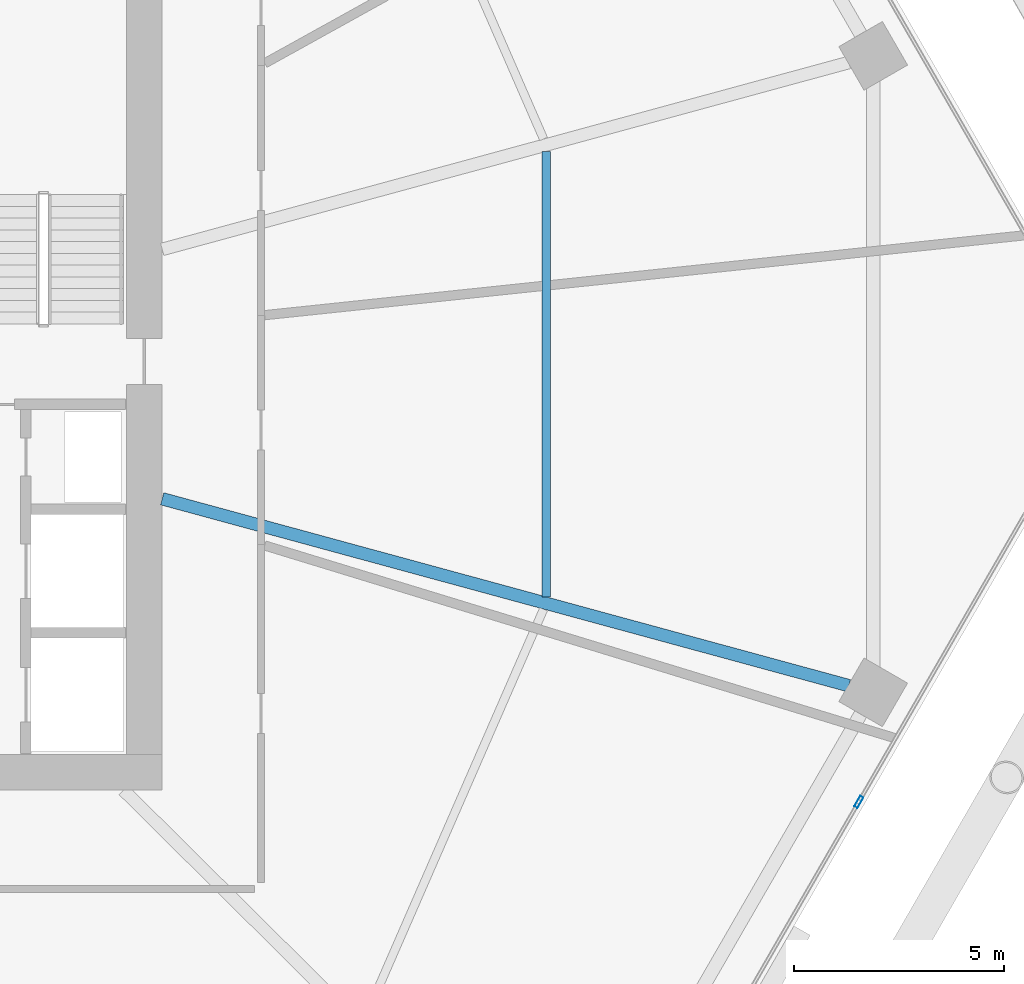
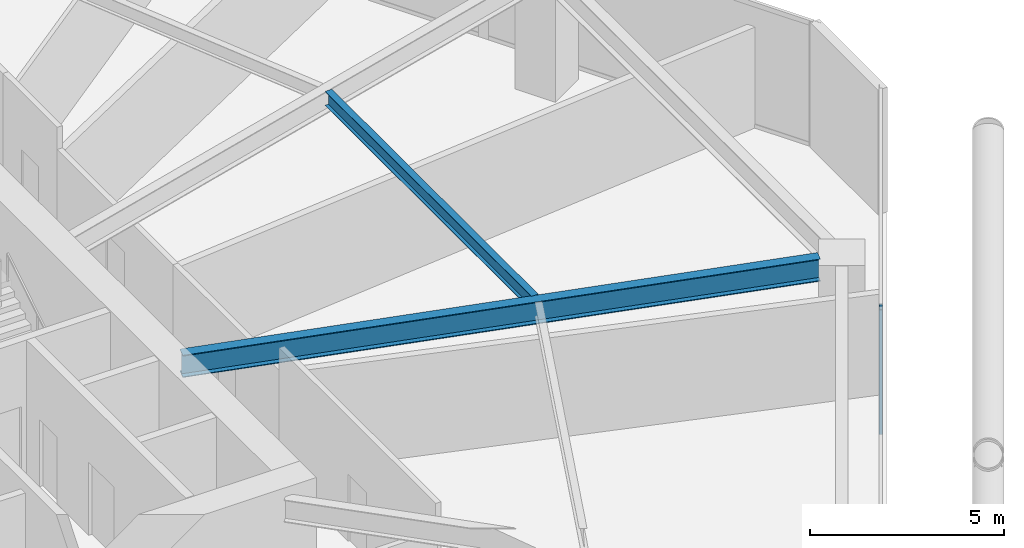
# One storey, part 11 of 30: 2 beams, 1 member, 1 element without a shape of its own.
"""IFC4 building model written with IfcOpenShell, lengths in metres."""

from ifc_helpers import new_model, si_unit, direction, frame, origin, origin_2d, place, context, subcontext, project, spatial, hollow_rectangle, i_section, extrude, material, material_profile, profile_set, type_object, element, aggregate, save


model = new_model("IFC4")

# Units and contexts
model_context = context("Model", 3, precision=1e-05, world=origin(), true_north=direction((0.0, 1.0)))
body_context = subcontext(model_context, "Body", "Model", "MODEL_VIEW")
ifc_project = project(units=[si_unit("LENGTHUNIT", "METRE"), si_unit("AREAUNIT", "SQUARE_METRE"), si_unit("VOLUMEUNIT", "CUBIC_METRE"), si_unit("PLANEANGLEUNIT", "RADIAN"), si_unit("MASSUNIT", "GRAM", prefix="KILO")], contexts=[model_context])

# Site, building, storey
site_placement = place(None, origin())
site = spatial("IfcSite", under=ifc_project, at=site_placement, CompositionType="ELEMENT")
building_placement = place(site_placement, origin())
building = spatial("IfcBuilding", under=site, at=building_placement, Name="Zuhravey Tower", CompositionType="ELEMENT")
storey_placement = place(building_placement, frame((0.0, 0.0, 58.199951171875)))
storey = spatial("IfcBuildingStorey", under=building, at=storey_placement, Name="L14", CompositionType="ELEMENT", Elevation=58.199951171875)

# Curtain wall, member
ifc_material_1 = material(Name="Thermally broken anodised aluminium", Category="aluminium")
curtain_wall_type = type_object("IfcCurtainWallType", Name="School Low-E Unitised Curtain Wall CW1", PredefinedType="NOTDEFINED", material=ifc_material_1)
curtain_wall_placement = place(storey_placement, origin())
curtain_wall = element("IfcCurtainWall", 1, at=curtain_wall_placement, inside=storey, type_object=curtain_wall_type, Name="L14 CW1 CW-L14-F6-1", PredefinedType="NOTDEFINED")
ifc_material_2 = material(Name="Anodised aluminium", Category="aluminium")
ifc_material_profile_1 = material_profile(ifc_material_2, hollow_rectangle(XDim=0.090087890625, YDim=0.284912109375, WallThickness=0.0048828125, at=origin_2d()), Name="ALU-RHS-90x285x5")
ifc_profile_set_1 = profile_set([ifc_material_profile_1], Name="Anodised aluminium")
member_type = type_object("IfcMemberType", Name="Curtain-Wall Mullion 90x180", PredefinedType="MULLION", material=ifc_profile_set_1)
member_placement = place(storey_placement, frame((63.54541015625, 21.79296875, 0.0), z_axis=(0.0, 0.0, 1.0), x_axis=(0.86602552265, -0.499999794119, 0.0)))
member = element("IfcMember", 2, at=member_placement, type_object=member_type, Name="CW1 mullion 2", PredefinedType="MULLION", context=body_context, shape_type="SweptSolid", body=[
    extrude(hollow_rectangle(XDim=0.090087890625, YDim=0.284912109375, WallThickness=0.0048828125, at=origin_2d()), origin(), (0.0, 0.0, 1.0), 3.920166015625),
])
aggregate(curtain_wall, [member])

# Beams
ifc_material_3 = material(Name="Steel SM355", Category="steel")
ifc_material_profile_2 = material_profile(ifc_material_3, i_section(OverallWidth=0.300048828125, OverallDepth=0.699951171875, WebThickness=0.012939453125, FlangeThickness=0.02392578125, at=origin_2d()), Name="H-700x300x13x24")
ifc_profile_set_2 = profile_set([ifc_material_profile_2], Name="Steel SM355")
beam_type_1 = type_object("IfcBeamType", Name="Radial Primary Girder H700x300", PredefinedType="BEAM", material=ifc_profile_set_2)
beam_1_placement = place(storey_placement, frame((46.927978515625, 29.025390625, 3.570068359375), z_axis=(0.964892480455, -0.26264520015, 0.0), x_axis=(0.26264520015, 0.964892480455, 0.0)))
element("IfcBeam", 3, at=beam_1_placement, inside=storey, type_object=beam_type_1, Name="L14 RG1 BM-L14-RAD-12", PredefinedType="BEAM", context=body_context, shape_type="SweptSolid", body=[
    extrude(i_section(OverallWidth=0.300048828125, OverallDepth=0.699951171875, WebThickness=0.012939453125, FlangeThickness=0.02392578125, at=origin_2d()), origin(), (0.0, 0.0, 1.0), 16.975341796875),
])
ifc_material_profile_3 = material_profile(ifc_material_3, i_section(OverallWidth=0.199951171875, OverallDepth=0.449951171875, WebThickness=0.009033203125, FlangeThickness=0.013916015625, at=origin_2d()), Name="H-450x200x9x14")
ifc_profile_set_3 = profile_set([ifc_material_profile_3], Name="Steel SM355")
beam_type_2 = type_object("IfcBeamType", Name="Secondary Floor Joist H450x200", PredefinedType="JOIST", material=ifc_profile_set_3)
beam_2_placement = place(storey_placement, frame((56.0869140625, 26.686279296875, 3.695068359375), z_axis=(0.0, 1.0, 0.0), x_axis=(-1.0, 0.0, 0.0)))
element("IfcBeam", 4, at=beam_2_placement, inside=storey, type_object=beam_type_2, Name="L14 SJ1 BM-L14-SJ-12-1", PredefinedType="JOIST", context=body_context, shape_type="SweptSolid", body=[
    extrude(i_section(OverallWidth=0.199951171875, OverallDepth=0.449951171875, WebThickness=0.009033203125, FlangeThickness=0.013916015625, at=origin_2d()), origin(), (0.0, 0.0, 1.0), 10.62744140625),
])

save(model, "model.ifc")
